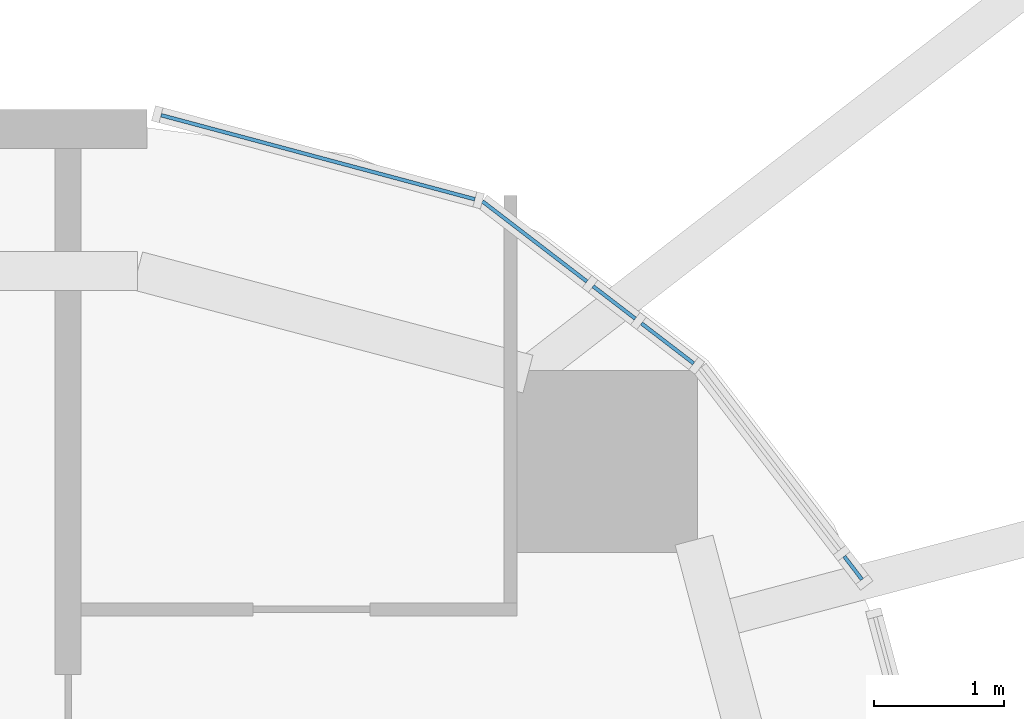
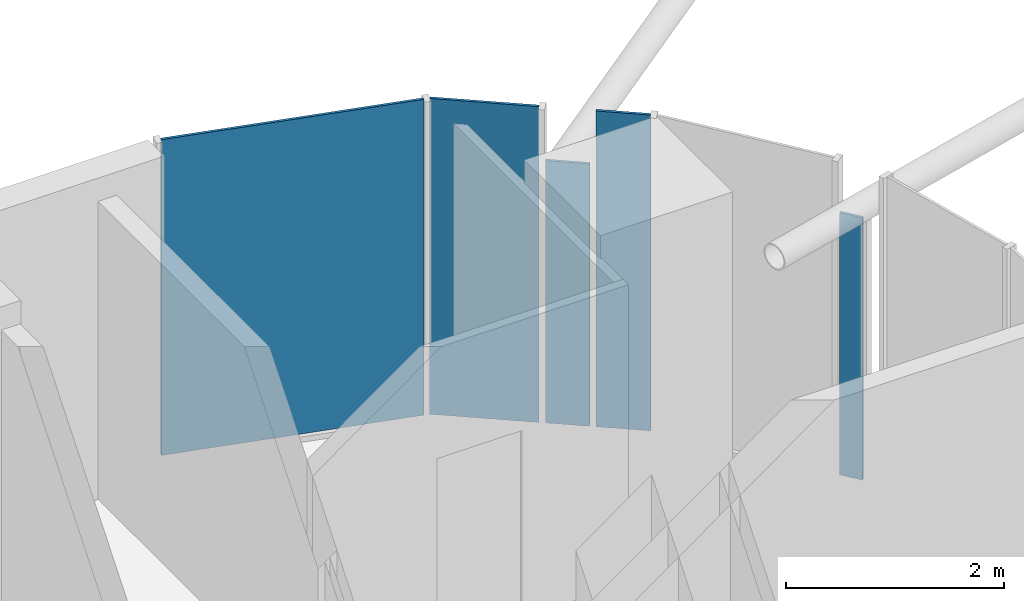
# One storey, part 22 of 31: 5 plates, 5 elements without a shape of their own.
"""IFC4 building model written with IfcOpenShell, lengths in metres."""

from ifc_helpers import new_model, si_unit, direction, frame, origin, origin_2d, place, context, subcontext, project, spatial, rectangle, extrude, material, layer, layer_set, type_object, element, aggregate, save


model = new_model("IFC4")

# Units and contexts
model_context = context("Model", 3, precision=1e-05, world=origin(), true_north=direction((0.0, 1.0)))
body_context = subcontext(model_context, "Body", "Model", "MODEL_VIEW")
ifc_project = project(units=[si_unit("LENGTHUNIT", "METRE"), si_unit("AREAUNIT", "SQUARE_METRE"), si_unit("VOLUMEUNIT", "CUBIC_METRE"), si_unit("PLANEANGLEUNIT", "RADIAN"), si_unit("MASSUNIT", "GRAM", prefix="KILO")], contexts=[model_context])

# Site, building, storey
site_placement = place(None, origin())
site = spatial("IfcSite", under=ifc_project, at=site_placement, CompositionType="ELEMENT")
building_placement = place(site_placement, origin())
building = spatial("IfcBuilding", under=site, at=building_placement, Name="Marenta Gate Hotel Tower", CompositionType="ELEMENT")
storey_placement = place(building_placement, frame((0.0, 0.0, 234.5)))
storey = spatial("IfcBuildingStorey", under=building, at=storey_placement, Name="L55", CompositionType="ELEMENT", Elevation=234.5)

# Curtain wall, plate
ifc_material_1 = material(Name="Tinted insulated glass in bronze anodised frame", Category="glass")
ifc_layer_1 = layer(ifc_material_1, 0.1201171875)
ifc_layer_set_1 = layer_set([ifc_layer_1], Name="Tinted insulated glass in bronze anodised frame")
curtain_wall_type = type_object("IfcCurtainWallType", Name="Tower unitised curtain wall CW1", PredefinedType="NOTDEFINED", material=ifc_layer_set_1)
curtain_wall_1_placement = place(storey_placement, origin())
curtain_wall_1 = element("IfcCurtainWall", 1, at=curtain_wall_1_placement, inside=storey, type_object=curtain_wall_type, Name="CW1 run G36", PredefinedType="NOTDEFINED")
ifc_material_2 = material(Name="Tinted insulated glass", Category="glass")
ifc_layer_2 = layer(ifc_material_2, 0.028076171875)
ifc_layer_set_2 = layer_set([ifc_layer_2], Name="Tinted insulated glass")
plate_type = type_object("IfcPlateType", Name="Glass panel CW1 28 mm tinted insulated unit", PredefinedType="CURTAIN_PANEL", material=ifc_layer_set_2)
plate_1_placement = place(storey_placement, frame((24.62939453125, 19.118896484375, 0.06005859375), z_axis=(0.0, 0.0, 1.0), x_axis=(-0.608808478087, 0.793317236047, 0.0)))
plate_1 = element("IfcPlate", 2, at=plate_1_placement, type_object=plate_type, Name="CW1 panel 1.1", PredefinedType="CURTAIN_PANEL", context=body_context, shape_type="SweptSolid", body=[
    extrude(rectangle(XDim=0.22412109375, YDim=0.028076171875, at=origin_2d()), origin(), (0.0, 0.0, 1.0), 2.9404296875),
])
aggregate(curtain_wall_1, [plate_1])

curtain_wall_2_placement = place(storey_placement, origin())
curtain_wall_2 = element("IfcCurtainWall", 3, at=curtain_wall_2_placement, inside=storey, type_object=curtain_wall_type, Name="CW1 run G38", PredefinedType="NOTDEFINED")
plate_2_placement = place(storey_placement, frame((23.20458984375, 20.843017578125, 0.06005859375), z_axis=(0.0, 0.0, 1.0), x_axis=(-0.793347091368, 0.608769572677, 0.0)))
plate_2 = element("IfcPlate", 4, at=plate_2_placement, type_object=plate_type, Name="CW1 panel 1.1", PredefinedType="CURTAIN_PANEL", context=body_context, shape_type="SweptSolid", body=[
    extrude(rectangle(XDim=0.505126953125, YDim=0.028076171875, at=origin_2d()), origin(), (0.0, 0.0, 1.0), 3.5400390625),
])
aggregate(curtain_wall_2, [plate_2])

curtain_wall_3_placement = place(storey_placement, origin())
curtain_wall_3 = element("IfcCurtainWall", 5, at=curtain_wall_3_placement, inside=storey, type_object=curtain_wall_type, Name="CW1 run G39", PredefinedType="NOTDEFINED")
plate_3_placement = place(storey_placement, frame((22.794677734375, 21.157470703125, 0.06005859375), z_axis=(0.0, 0.0, 1.0), x_axis=(-0.793290143052, 0.608843780404, 0.0)))
plate_3 = element("IfcPlate", 6, at=plate_3_placement, type_object=plate_type, Name="CW1 panel 1.1", PredefinedType="CURTAIN_PANEL", context=body_context, shape_type="SweptSolid", body=[
    extrude(rectangle(XDim=0.408447265625, YDim=0.028076171875, at=origin_2d()), origin(), (0.0, 0.0, 1.0), 2.9404296875),
])
aggregate(curtain_wall_3, [plate_3])

curtain_wall_4_placement = place(storey_placement, origin())
curtain_wall_4 = element("IfcCurtainWall", 7, at=curtain_wall_4_placement, inside=storey, type_object=curtain_wall_type, Name="CW1 run G40", PredefinedType="NOTDEFINED")
plate_4_placement = place(storey_placement, frame((22.183837890625, 21.626220703125, 0.06005859375), z_axis=(0.0, 0.0, 1.0), x_axis=(-0.793344960162, 0.60877235005, 0.0)))
plate_4 = element("IfcPlate", 8, at=plate_4_placement, type_object=plate_type, Name="CW1 panel 1.1", PredefinedType="CURTAIN_PANEL", context=body_context, shape_type="SweptSolid", body=[
    extrude(rectangle(XDim=1.01171875, YDim=0.028076171875, at=origin_2d()), origin(), (0.0, 0.0, 1.0), 3.5400390625),
])
aggregate(curtain_wall_4, [plate_4])

curtain_wall_5_placement = place(storey_placement, origin())
curtain_wall_5 = element("IfcCurtainWall", 9, at=curtain_wall_5_placement, inside=storey, type_object=curtain_wall_type, Name="CW1 run G41", PredefinedType="NOTDEFINED")
plate_5_placement = place(storey_placement, frame((20.51953125, 22.272705078125, 0.06005859375), z_axis=(0.0, 0.0, 1.0), x_axis=(-0.96592961764, 0.258804895175, 0.0)))
plate_5 = element("IfcPlate", 10, at=plate_5_placement, type_object=plate_type, Name="CW1 panel 1.1", PredefinedType="CURTAIN_PANEL", context=body_context, shape_type="SweptSolid", body=[
    extrude(rectangle(XDim=2.4951171875, YDim=0.028076171875, at=origin_2d()), origin(), (0.0, 0.0, 1.0), 3.5400390625),
])
aggregate(curtain_wall_5, [plate_5])

save(model, "model.ifc")
